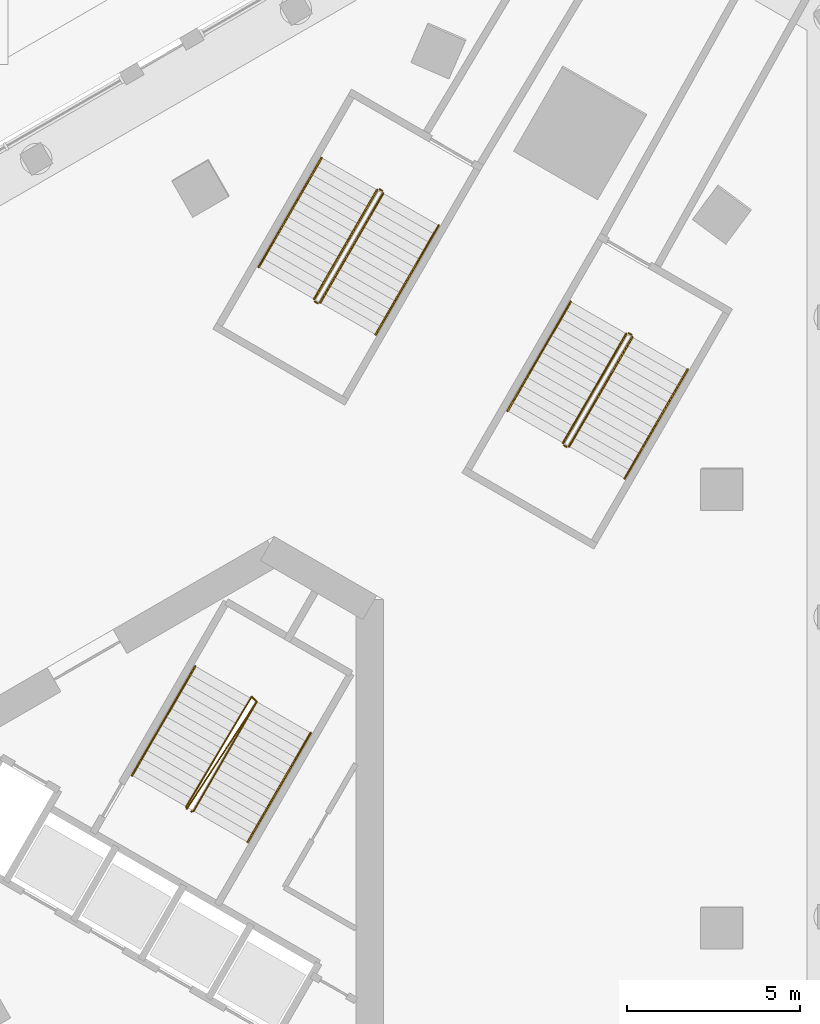
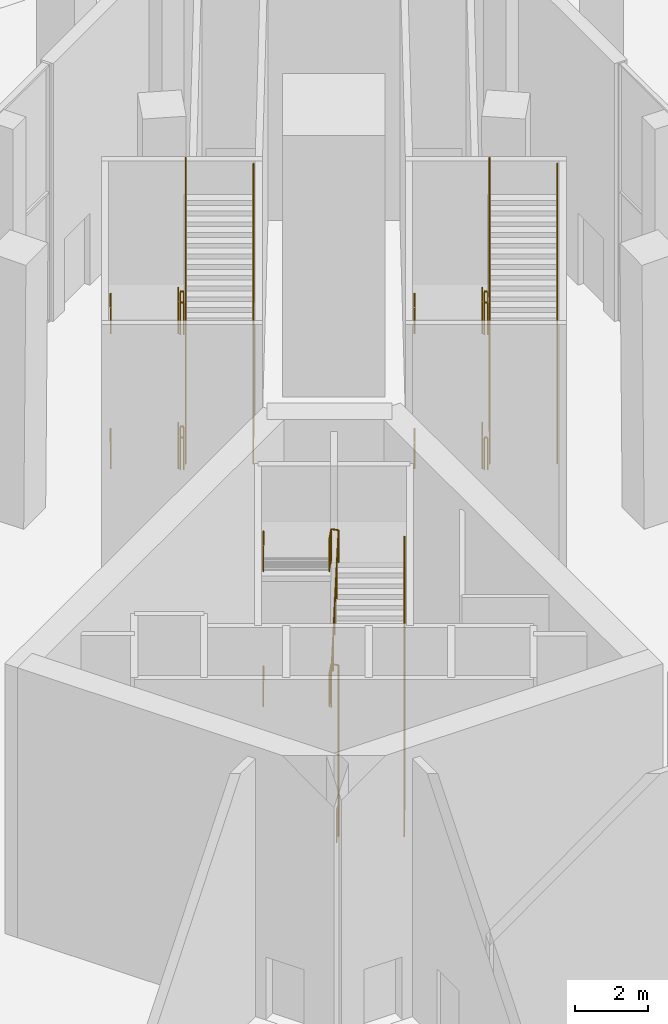
# One storey, part 50 of 63: 28 railings.
"""IFC4 building model written with IfcOpenShell, lengths in metres."""

from ifc_helpers import new_model, si_unit, direction, frame, origin, origin_2d, place, context, subcontext, project, spatial, circle, extrude, material, type_object, element, save


model = new_model("IFC4")

# Units and contexts
model_context = context("Model", 3, precision=1e-05, world=origin(), true_north=direction((0.0, 1.0)))
body_context = subcontext(model_context, "Body", "Model", "MODEL_VIEW")
ifc_project = project(units=[si_unit("LENGTHUNIT", "METRE"), si_unit("AREAUNIT", "SQUARE_METRE"), si_unit("VOLUMEUNIT", "CUBIC_METRE"), si_unit("PLANEANGLEUNIT", "RADIAN"), si_unit("MASSUNIT", "GRAM", prefix="KILO")], contexts=[model_context])

# Site, building, storey
site_placement = place(None, origin())
site = spatial("IfcSite", under=ifc_project, at=site_placement, CompositionType="ELEMENT")
building_placement = place(site_placement, origin())
building = spatial("IfcBuilding", under=site, at=building_placement, Name="Jabali Bay Hotel Tower and Convention Centre", CompositionType="ELEMENT")
storey_placement = place(building_placement, origin())
storey = spatial("IfcBuildingStorey", under=building, at=storey_placement, Name="L00", CompositionType="ELEMENT", Elevation=0.0)

# Railings
ifc_material = material(Name="Steel Q355B", Category="steel")
railing_type_1 = type_object("IfcRailingType", Name="Stair guard 1100", PredefinedType="GUARDRAIL", material=ifc_material)
railing_1_placement = place(storey_placement, frame((84.329833984375, 96.010009765625, 0.0)))
element("IfcRailing", 1, at=railing_1_placement, inside=storey, type_object=railing_type_1, Name="L00 ST2 stair guard 1", PredefinedType="GUARDRAIL", context=body_context, shape_type="SweptSolid", body=[
    extrude(circle(Radius=0.02392578125, at=origin_2d()), frame((0.0, 0.0, 1.076171875), z_axis=(0.389419217707, 0.104308719029, 0.91513516161), x_axis=(-0.258736085224, 0.965948051503, 0.0)), (0.0, 0.0, 1.0), 0.175537109375),
    extrude(circle(Radius=0.02392578125, at=origin_2d()), frame((0.068359375, 0.018310546875, 1.23681640625), z_axis=(0.433652999409, 0.751083504812, 0.49781386572), x_axis=(-0.866018046521, 0.500012742938, 0.0)), (0.0, 0.0, 1.0), 4.197021484375),
    extrude(circle(Radius=0.02392578125, at=origin_2d()), frame((1.888427734375, 3.170654296875, 3.326171875), z_axis=(-0.718850276695, 0.695164929852, 0.0), x_axis=(-0.695164929852, -0.718850276695, 0.0)), (0.0, 0.0, 1.0), 0.2060546875),
    extrude(circle(Radius=0.02392578125, at=origin_2d()), frame((1.740234375, 3.31396484375, 3.326171875), z_axis=(-0.436910096107, -0.733568379849, 0.520564117093), x_axis=(0.859157857954, -0.511710636118, 0.0)), (0.0, 0.0, 1.0), 4.322265625),
    extrude(circle(Radius=0.02392578125, at=origin_2d()), frame((-0.148193359375, 0.143310546875, 5.576171875), z_axis=(0.258736085224, -0.965948051503, 0.0), x_axis=(0.965948051503, 0.258736085224, 0.0)), (0.0, 0.0, 1.0), 0.07080078125),
    extrude(circle(Radius=0.02392578125, at=origin_2d()), frame((-0.1298828125, 0.074951171875, 5.576171875), z_axis=(0.466488976959, 0.715505047519, 0.520038999837), x_axis=(-0.837688130049, 0.546148877848, 0.0)), (0.0, 0.0, 1.0), 4.32666015625),
    extrude(circle(Radius=0.02392578125, at=origin_2d()), frame((1.888427734375, 3.170654296875, 7.826171875), z_axis=(-0.718850276695, 0.695164929852, 0.0), x_axis=(-0.695164929852, -0.718850276695, 0.0)), (0.0, 0.0, 1.0), 0.2060546875),
    extrude(circle(Radius=0.02392578125, at=origin_2d()), frame((1.740234375, 3.31396484375, 7.826171875), z_axis=(-0.436910096107, -0.733568379849, 0.520564117093), x_axis=(0.859157857954, -0.511710636118, 0.0)), (0.0, 0.0, 1.0), 4.322265625),
    extrude(circle(Radius=0.02099609375, at=origin_2d()), origin(), (0.0, 0.0, 1.0), 1.052001953125),
    extrude(circle(Radius=0.02099609375, at=origin_2d()), frame((0.068359375, 0.018310546875, 0.16064453125)), (0.0, 0.0, 1.0), 1.052001953125),
    extrude(circle(Radius=0.02099609375, at=origin_2d()), frame((0.5234375, 0.806396484375, 0.68310546875)), (0.0, 0.0, 1.0), 1.052001953125),
    extrude(circle(Radius=0.02099609375, at=origin_2d()), frame((0.978515625, 1.594482421875, 1.205322265625)), (0.0, 0.0, 1.0), 1.052001953125),
    extrude(circle(Radius=0.02099609375, at=origin_2d()), frame((1.433349609375, 2.382568359375, 1.7275390625)), (0.0, 0.0, 1.0), 1.052001953125),
    extrude(circle(Radius=0.02099609375, at=origin_2d()), frame((1.888427734375, 3.170654296875, 2.25)), (0.0, 0.0, 1.0), 1.052001953125),
    extrude(circle(Radius=0.02099609375, at=origin_2d()), frame((1.740234375, 3.31396484375, 2.25)), (0.0, 0.0, 1.0), 1.052001953125),
    extrude(circle(Radius=0.02099609375, at=origin_2d()), frame((1.26806640625, 2.521240234375, 2.8125)), (0.0, 0.0, 1.0), 1.052001953125),
    extrude(circle(Radius=0.02099609375, at=origin_2d()), frame((0.7958984375, 1.728515625, 3.375)), (0.0, 0.0, 1.0), 1.052001953125),
    extrude(circle(Radius=0.02099609375, at=origin_2d()), frame((0.323974609375, 0.93603515625, 3.9375)), (0.0, 0.0, 1.0), 1.052001953125),
    extrude(circle(Radius=0.02099609375, at=origin_2d()), frame((-0.148193359375, 0.143310546875, 4.5)), (0.0, 0.0, 1.0), 1.052001953125),
    extrude(circle(Radius=0.02099609375, at=origin_2d()), frame((-0.1298828125, 0.074951171875, 4.5)), (0.0, 0.0, 1.0), 1.052001953125),
    extrude(circle(Radius=0.02099609375, at=origin_2d()), frame((0.374755859375, 0.848876953125, 5.0625)), (0.0, 0.0, 1.0), 1.052001953125),
    extrude(circle(Radius=0.02099609375, at=origin_2d()), frame((0.87939453125, 1.622802734375, 5.625)), (0.0, 0.0, 1.0), 1.052001953125),
    extrude(circle(Radius=0.02099609375, at=origin_2d()), frame((1.3837890625, 2.396728515625, 6.1875)), (0.0, 0.0, 1.0), 1.052001953125),
    extrude(circle(Radius=0.02099609375, at=origin_2d()), frame((1.888427734375, 3.170654296875, 6.75)), (0.0, 0.0, 1.0), 1.052001953125),
    extrude(circle(Radius=0.02099609375, at=origin_2d()), frame((1.740234375, 3.31396484375, 6.75)), (0.0, 0.0, 1.0), 1.052001953125),
    extrude(circle(Radius=0.02099609375, at=origin_2d()), frame((1.26806640625, 2.521240234375, 7.3125)), (0.0, 0.0, 1.0), 1.052001953125),
    extrude(circle(Radius=0.02099609375, at=origin_2d()), frame((0.7958984375, 1.728515625, 7.875)), (0.0, 0.0, 1.0), 1.052001953125),
    extrude(circle(Radius=0.02099609375, at=origin_2d()), frame((0.323974609375, 0.93603515625, 8.4375)), (0.0, 0.0, 1.0), 1.052001953125),
    extrude(circle(Radius=0.02099609375, at=origin_2d()), frame((-0.148193359375, 0.143310546875, 9.0)), (0.0, 0.0, 1.0), 1.052001953125),
])
railing_2_placement = place(storey_placement, frame((89.6943359375, 113.951416015625, 0.16064453125)))
element("IfcRailing", 2, at=railing_2_placement, inside=storey, type_object=railing_type_1, Name="L00 PS3 stair guard 1", PredefinedType="GUARDRAIL", context=body_context, shape_type="SweptSolid", body=[
    extrude(circle(Radius=0.02392578125, at=origin_2d()), frame((0.0, 0.0, 1.076171875), z_axis=(-0.433605767251, -0.751102450596, 0.497826422878), x_axis=(0.866047089031, -0.499962438169, 0.0)), (0.0, 0.0, 1.0), 4.197021484375),
    extrude(circle(Radius=0.02099609375, at=origin_2d()), origin(), (0.0, 0.0, 1.0), 1.052001953125),
    extrude(circle(Radius=0.02099609375, at=origin_2d()), frame((-0.455078125, -0.7880859375, 0.5224609375)), (0.0, 0.0, 1.0), 1.052001953125),
    extrude(circle(Radius=0.02099609375, at=origin_2d()), frame((-0.909912109375, -1.576171875, 1.044677734375)), (0.0, 0.0, 1.0), 1.052001953125),
    extrude(circle(Radius=0.02099609375, at=origin_2d()), frame((-1.36474609375, -2.3642578125, 1.56689453125)), (0.0, 0.0, 1.0), 1.052001953125),
    extrude(circle(Radius=0.02099609375, at=origin_2d()), frame((-1.81982421875, -3.15234375, 2.08935546875)), (0.0, 0.0, 1.0), 1.052001953125),
])
railing_3_placement = place(storey_placement, frame((87.892578125, 110.730712890625, 2.25)))
element("IfcRailing", 3, at=railing_3_placement, inside=storey, type_object=railing_type_1, Name="L00 PS3 stair guard 2", PredefinedType="GUARDRAIL", context=body_context, shape_type="SweptSolid", body=[
    extrude(circle(Radius=0.02392578125, at=origin_2d()), frame((0.0, 0.0, 1.076171875), z_axis=(0.867038199201, -0.4982416694, 0.0), x_axis=(0.4982416694, 0.867038199201, 0.0)), (0.0, 0.0, 1.0), 0.099853515625),
    extrude(circle(Radius=0.02099609375, at=origin_2d()), origin(), (0.0, 0.0, 1.0), 1.052001953125),
    extrude(circle(Radius=0.02099609375, at=origin_2d()), frame((0.086669921875, -0.0498046875, 0.0)), (0.0, 0.0, 1.0), 1.052001953125),
])
railing_4_placement = place(storey_placement, frame((88.047607421875, 110.69921875, 2.41064453125)))
element("IfcRailing", 4, at=railing_4_placement, inside=storey, type_object=railing_type_1, Name="L00 PS3 stair guard 3", PredefinedType="GUARDRAIL", context=body_context, shape_type="SweptSolid", body=[
    extrude(circle(Radius=0.02392578125, at=origin_2d()), frame((0.0, 0.0, 1.076171875), z_axis=(0.433671946255, 0.751058148639, 0.497835615835), x_axis=(-0.866001276507, 0.500041787341, 0.0)), (0.0, 0.0, 1.0), 4.19677734375),
    extrude(circle(Radius=0.02099609375, at=origin_2d()), origin(), (0.0, 0.0, 1.0), 1.052001953125),
    extrude(circle(Radius=0.02099609375, at=origin_2d()), frame((0.455078125, 0.7880859375, 0.5224609375)), (0.0, 0.0, 1.0), 1.052001953125),
    extrude(circle(Radius=0.02099609375, at=origin_2d()), frame((0.91015625, 1.576171875, 1.044677734375)), (0.0, 0.0, 1.0), 1.052001953125),
    extrude(circle(Radius=0.02099609375, at=origin_2d()), frame((1.364990234375, 2.364013671875, 1.56689453125)), (0.0, 0.0, 1.0), 1.052001953125),
    extrude(circle(Radius=0.02099609375, at=origin_2d()), frame((1.820068359375, 3.152099609375, 2.08935546875)), (0.0, 0.0, 1.0), 1.052001953125),
])
railing_5_placement = place(storey_placement, frame((89.7626953125, 113.9697265625, 4.5)))
element("IfcRailing", 5, at=railing_5_placement, inside=storey, type_object=railing_type_1, Name="L00 PS3 stair guard 4", PredefinedType="GUARDRAIL", context=body_context, shape_type="SweptSolid", body=[
    extrude(circle(Radius=0.02392578125, at=origin_2d()), frame((0.0, 0.0, 1.076171875), z_axis=(0.865982457891, -0.500074377092, 0.0), x_axis=(0.500074377092, 0.865982457891, 0.0)), (0.0, 0.0, 1.0), 0.10009765625),
    extrude(circle(Radius=0.02099609375, at=origin_2d()), origin(), (0.0, 0.0, 1.0), 1.052001953125),
    extrude(circle(Radius=0.02099609375, at=origin_2d()), frame((0.086669921875, -0.050048828125, 0.0)), (0.0, 0.0, 1.0), 1.052001953125),
])
railing_6_placement = place(storey_placement, frame((89.6943359375, 113.951416015625, 4.66064453125)))
element("IfcRailing", 6, at=railing_6_placement, inside=storey, type_object=railing_type_1, Name="L00 PS3 stair guard 5", PredefinedType="GUARDRAIL", context=body_context, shape_type="SweptSolid", body=[
    extrude(circle(Radius=0.02392578125, at=origin_2d()), frame((0.0, 0.0, 1.076171875), z_axis=(-0.433605767251, -0.751102450596, 0.497826422878), x_axis=(0.866047089031, -0.499962438169, 0.0)), (0.0, 0.0, 1.0), 4.197021484375),
    extrude(circle(Radius=0.02099609375, at=origin_2d()), origin(), (0.0, 0.0, 1.0), 1.052001953125),
    extrude(circle(Radius=0.02099609375, at=origin_2d()), frame((-0.455078125, -0.7880859375, 0.5224609375)), (0.0, 0.0, 1.0), 1.052001953125),
    extrude(circle(Radius=0.02099609375, at=origin_2d()), frame((-0.909912109375, -1.576171875, 1.044677734375)), (0.0, 0.0, 1.0), 1.052001953125),
    extrude(circle(Radius=0.02099609375, at=origin_2d()), frame((-1.36474609375, -2.3642578125, 1.56689453125)), (0.0, 0.0, 1.0), 1.052001953125),
    extrude(circle(Radius=0.02099609375, at=origin_2d()), frame((-1.81982421875, -3.15234375, 2.08935546875)), (0.0, 0.0, 1.0), 1.052001953125),
])
railing_7_placement = place(storey_placement, frame((87.892578125, 110.730712890625, 6.75)))
element("IfcRailing", 7, at=railing_7_placement, inside=storey, type_object=railing_type_1, Name="L00 PS3 stair guard 6", PredefinedType="GUARDRAIL", context=body_context, shape_type="SweptSolid", body=[
    extrude(circle(Radius=0.02392578125, at=origin_2d()), frame((0.0, 0.0, 1.076171875), z_axis=(0.867038199201, -0.4982416694, 0.0), x_axis=(0.4982416694, 0.867038199201, 0.0)), (0.0, 0.0, 1.0), 0.099853515625),
    extrude(circle(Radius=0.02099609375, at=origin_2d()), origin(), (0.0, 0.0, 1.0), 1.052001953125),
    extrude(circle(Radius=0.02099609375, at=origin_2d()), frame((0.086669921875, -0.0498046875, 0.0)), (0.0, 0.0, 1.0), 1.052001953125),
])
railing_8_placement = place(storey_placement, frame((88.047607421875, 110.69921875, 6.91064453125)))
element("IfcRailing", 8, at=railing_8_placement, inside=storey, type_object=railing_type_1, Name="L00 PS3 stair guard 7", PredefinedType="GUARDRAIL", context=body_context, shape_type="SweptSolid", body=[
    extrude(circle(Radius=0.02392578125, at=origin_2d()), frame((0.0, 0.0, 1.076171875), z_axis=(0.433671946255, 0.751058148639, 0.497835615835), x_axis=(-0.866001276507, 0.500041787341, 0.0)), (0.0, 0.0, 1.0), 4.19677734375),
    extrude(circle(Radius=0.02099609375, at=origin_2d()), origin(), (0.0, 0.0, 1.0), 1.052001953125),
    extrude(circle(Radius=0.02099609375, at=origin_2d()), frame((0.455078125, 0.7880859375, 0.5224609375)), (0.0, 0.0, 1.0), 1.052001953125),
    extrude(circle(Radius=0.02099609375, at=origin_2d()), frame((0.91015625, 1.576171875, 1.044677734375)), (0.0, 0.0, 1.0), 1.052001953125),
    extrude(circle(Radius=0.02099609375, at=origin_2d()), frame((1.364990234375, 2.364013671875, 1.56689453125)), (0.0, 0.0, 1.0), 1.052001953125),
    extrude(circle(Radius=0.02099609375, at=origin_2d()), frame((1.820068359375, 3.152099609375, 2.08935546875)), (0.0, 0.0, 1.0), 1.052001953125),
])
railing_9_placement = place(storey_placement, frame((89.7626953125, 113.9697265625, 0.0)))
element("IfcRailing", 9, at=railing_9_placement, inside=storey, type_object=railing_type_1, Name="L00 PS3 stair guard 8", PredefinedType="GUARDRAIL", context=body_context, shape_type="SweptSolid", body=[
    extrude(circle(Radius=0.02392578125, at=origin_2d()), frame((0.0, 0.0, 1.076171875), z_axis=(0.865982457891, -0.500074377092, 0.0), x_axis=(0.500074377092, 0.865982457891, 0.0)), (0.0, 0.0, 1.0), 0.10009765625),
    extrude(circle(Radius=0.02099609375, at=origin_2d()), origin(), (0.0, 0.0, 1.0), 1.052001953125),
    extrude(circle(Radius=0.02099609375, at=origin_2d()), frame((0.086669921875, -0.050048828125, 0.0)), (0.0, 0.0, 1.0), 1.052001953125),
])
railing_10_placement = place(storey_placement, frame((96.88232421875, 109.801513671875, 0.16064453125)))
element("IfcRailing", 10, at=railing_10_placement, inside=storey, type_object=railing_type_1, Name="L00 PS4 stair guard 1", PredefinedType="GUARDRAIL", context=body_context, shape_type="SweptSolid", body=[
    extrude(circle(Radius=0.02392578125, at=origin_2d()), frame((0.0, 0.0, 1.076171875), z_axis=(-0.433605767251, -0.751102450596, 0.497826422878), x_axis=(0.866047089031, -0.499962438169, 0.0)), (0.0, 0.0, 1.0), 4.197021484375),
    extrude(circle(Radius=0.02099609375, at=origin_2d()), origin(), (0.0, 0.0, 1.0), 1.052001953125),
    extrude(circle(Radius=0.02099609375, at=origin_2d()), frame((-0.455078125, -0.7880859375, 0.5224609375)), (0.0, 0.0, 1.0), 1.052001953125),
    extrude(circle(Radius=0.02099609375, at=origin_2d()), frame((-0.909912109375, -1.576171875, 1.044677734375)), (0.0, 0.0, 1.0), 1.052001953125),
    extrude(circle(Radius=0.02099609375, at=origin_2d()), frame((-1.36474609375, -2.3642578125, 1.56689453125)), (0.0, 0.0, 1.0), 1.052001953125),
    extrude(circle(Radius=0.02099609375, at=origin_2d()), frame((-1.81982421875, -3.15234375, 2.08935546875)), (0.0, 0.0, 1.0), 1.052001953125),
])
railing_11_placement = place(storey_placement, frame((95.080810546875, 106.580810546875, 2.25)))
element("IfcRailing", 11, at=railing_11_placement, inside=storey, type_object=railing_type_1, Name="L00 PS4 stair guard 2", PredefinedType="GUARDRAIL", context=body_context, shape_type="SweptSolid", body=[
    extrude(circle(Radius=0.02392578125, at=origin_2d()), frame((0.0, 0.0, 1.076171875), z_axis=(0.865370491644, -0.501132629342, 0.0), x_axis=(0.501132629342, 0.865370491644, 0.0)), (0.0, 0.0, 1.0), 0.099853515625),
    extrude(circle(Radius=0.02099609375, at=origin_2d()), origin(), (0.0, 0.0, 1.0), 1.052001953125),
    extrude(circle(Radius=0.02099609375, at=origin_2d()), frame((0.08642578125, -0.050048828125, 0.0)), (0.0, 0.0, 1.0), 1.052001953125),
])
railing_12_placement = place(storey_placement, frame((95.235595703125, 106.549072265625, 2.41064453125)))
element("IfcRailing", 12, at=railing_12_placement, inside=storey, type_object=railing_type_1, Name="L00 PS4 stair guard 3", PredefinedType="GUARDRAIL", context=body_context, shape_type="SweptSolid", body=[
    extrude(circle(Radius=0.02392578125, at=origin_2d()), frame((0.0, 0.0, 1.076171875), z_axis=(0.433652999409, 0.751083504812, 0.49781386572), x_axis=(-0.866018046521, 0.500012742938, 0.0)), (0.0, 0.0, 1.0), 4.197021484375),
    extrude(circle(Radius=0.02099609375, at=origin_2d()), origin(), (0.0, 0.0, 1.0), 1.052001953125),
    extrude(circle(Radius=0.02099609375, at=origin_2d()), frame((0.455078125, 0.7880859375, 0.5224609375)), (0.0, 0.0, 1.0), 1.052001953125),
    extrude(circle(Radius=0.02099609375, at=origin_2d()), frame((0.91015625, 1.576171875, 1.044677734375)), (0.0, 0.0, 1.0), 1.052001953125),
    extrude(circle(Radius=0.02099609375, at=origin_2d()), frame((1.364990234375, 2.3642578125, 1.56689453125)), (0.0, 0.0, 1.0), 1.052001953125),
    extrude(circle(Radius=0.02099609375, at=origin_2d()), frame((1.820068359375, 3.15234375, 2.08935546875)), (0.0, 0.0, 1.0), 1.052001953125),
])
railing_13_placement = place(storey_placement, frame((96.95068359375, 109.81982421875, 4.5)))
element("IfcRailing", 13, at=railing_13_placement, inside=storey, type_object=railing_type_1, Name="L00 PS4 stair guard 4", PredefinedType="GUARDRAIL", context=body_context, shape_type="SweptSolid", body=[
    extrude(circle(Radius=0.02392578125, at=origin_2d()), frame((0.0, 0.0, 1.076171875), z_axis=(0.865982457891, -0.500074377092, 0.0), x_axis=(0.500074377092, 0.865982457891, 0.0)), (0.0, 0.0, 1.0), 0.10009765625),
    extrude(circle(Radius=0.02099609375, at=origin_2d()), origin(), (0.0, 0.0, 1.0), 1.052001953125),
    extrude(circle(Radius=0.02099609375, at=origin_2d()), frame((0.086669921875, -0.050048828125, 0.0)), (0.0, 0.0, 1.0), 1.052001953125),
])
railing_14_placement = place(storey_placement, frame((96.88232421875, 109.801513671875, 4.66064453125)))
element("IfcRailing", 14, at=railing_14_placement, inside=storey, type_object=railing_type_1, Name="L00 PS4 stair guard 5", PredefinedType="GUARDRAIL", context=body_context, shape_type="SweptSolid", body=[
    extrude(circle(Radius=0.02392578125, at=origin_2d()), frame((0.0, 0.0, 1.076171875), z_axis=(-0.433605767251, -0.751102450596, 0.497826422878), x_axis=(0.866047089031, -0.499962438169, 0.0)), (0.0, 0.0, 1.0), 4.197021484375),
    extrude(circle(Radius=0.02099609375, at=origin_2d()), origin(), (0.0, 0.0, 1.0), 1.052001953125),
    extrude(circle(Radius=0.02099609375, at=origin_2d()), frame((-0.455078125, -0.7880859375, 0.5224609375)), (0.0, 0.0, 1.0), 1.052001953125),
    extrude(circle(Radius=0.02099609375, at=origin_2d()), frame((-0.909912109375, -1.576171875, 1.044677734375)), (0.0, 0.0, 1.0), 1.052001953125),
    extrude(circle(Radius=0.02099609375, at=origin_2d()), frame((-1.36474609375, -2.3642578125, 1.56689453125)), (0.0, 0.0, 1.0), 1.052001953125),
    extrude(circle(Radius=0.02099609375, at=origin_2d()), frame((-1.81982421875, -3.15234375, 2.08935546875)), (0.0, 0.0, 1.0), 1.052001953125),
])
railing_15_placement = place(storey_placement, frame((95.080810546875, 106.580810546875, 6.75)))
element("IfcRailing", 15, at=railing_15_placement, inside=storey, type_object=railing_type_1, Name="L00 PS4 stair guard 6", PredefinedType="GUARDRAIL", context=body_context, shape_type="SweptSolid", body=[
    extrude(circle(Radius=0.02392578125, at=origin_2d()), frame((0.0, 0.0, 1.076171875), z_axis=(0.865370491644, -0.501132629342, 0.0), x_axis=(0.501132629342, 0.865370491644, 0.0)), (0.0, 0.0, 1.0), 0.099853515625),
    extrude(circle(Radius=0.02099609375, at=origin_2d()), origin(), (0.0, 0.0, 1.0), 1.052001953125),
    extrude(circle(Radius=0.02099609375, at=origin_2d()), frame((0.08642578125, -0.050048828125, 0.0)), (0.0, 0.0, 1.0), 1.052001953125),
])
railing_16_placement = place(storey_placement, frame((95.235595703125, 106.549072265625, 6.91064453125)))
element("IfcRailing", 16, at=railing_16_placement, inside=storey, type_object=railing_type_1, Name="L00 PS4 stair guard 7", PredefinedType="GUARDRAIL", context=body_context, shape_type="SweptSolid", body=[
    extrude(circle(Radius=0.02392578125, at=origin_2d()), frame((0.0, 0.0, 1.076171875), z_axis=(0.433652999409, 0.751083504812, 0.49781386572), x_axis=(-0.866018046521, 0.500012742938, 0.0)), (0.0, 0.0, 1.0), 4.197021484375),
    extrude(circle(Radius=0.02099609375, at=origin_2d()), origin(), (0.0, 0.0, 1.0), 1.052001953125),
    extrude(circle(Radius=0.02099609375, at=origin_2d()), frame((0.455078125, 0.7880859375, 0.5224609375)), (0.0, 0.0, 1.0), 1.052001953125),
    extrude(circle(Radius=0.02099609375, at=origin_2d()), frame((0.91015625, 1.576171875, 1.044677734375)), (0.0, 0.0, 1.0), 1.052001953125),
    extrude(circle(Radius=0.02099609375, at=origin_2d()), frame((1.364990234375, 2.3642578125, 1.56689453125)), (0.0, 0.0, 1.0), 1.052001953125),
    extrude(circle(Radius=0.02099609375, at=origin_2d()), frame((1.820068359375, 3.15234375, 2.08935546875)), (0.0, 0.0, 1.0), 1.052001953125),
])
railing_type_2 = type_object("IfcRailingType", Name="Stair handrail 900", PredefinedType="HANDRAIL", material=ifc_material)
railing_17_placement = place(storey_placement, frame((85.95703125, 95.128173828125, 0.16064453125)))
element("IfcRailing", 17, at=railing_17_placement, inside=storey, type_object=railing_type_2, Name="L00 ST2 stair handrail 1", PredefinedType="HANDRAIL", context=body_context, shape_type="SweptSolid", body=[
    extrude(circle(Radius=0.02392578125, at=origin_2d()), frame((0.0, 0.0, 0.8759765625), z_axis=(0.433652999409, 0.751083504812, 0.49781386572), x_axis=(-0.866018046521, 0.500012742938, 0.0)), (0.0, 0.0, 1.0), 4.197021484375),
    extrude(circle(Radius=0.02099609375, at=origin_2d()), origin(), (0.0, 0.0, 1.0), 0.851806640625),
    extrude(circle(Radius=0.02099609375, at=origin_2d()), frame((0.455078125, 0.7880859375, 0.5224609375)), (0.0, 0.0, 1.0), 0.851806640625),
    extrude(circle(Radius=0.02099609375, at=origin_2d()), frame((0.91015625, 1.576171875, 1.044677734375)), (0.0, 0.0, 1.0), 0.851806640625),
    extrude(circle(Radius=0.02099609375, at=origin_2d()), frame((1.364990234375, 2.3642578125, 1.56689453125)), (0.0, 0.0, 1.0), 0.851806640625),
    extrude(circle(Radius=0.02099609375, at=origin_2d()), frame((1.820068359375, 3.15234375, 2.08935546875)), (0.0, 0.0, 1.0), 0.851806640625),
])
railing_18_placement = place(storey_placement, frame((84.44287109375, 100.20556640625, 2.41064453125)))
element("IfcRailing", 18, at=railing_18_placement, inside=storey, type_object=railing_type_2, Name="L00 ST2 stair handrail 2", PredefinedType="HANDRAIL", context=body_context, shape_type="SweptSolid", body=[
    extrude(circle(Radius=0.02392578125, at=origin_2d()), frame((0.0, 0.0, 0.8759765625), z_axis=(-0.433652999409, -0.751083504812, 0.49781386572), x_axis=(0.866018046521, -0.500012742938, 0.0)), (0.0, 0.0, 1.0), 4.197021484375),
    extrude(circle(Radius=0.02099609375, at=origin_2d()), origin(), (0.0, 0.0, 1.0), 0.851806640625),
    extrude(circle(Radius=0.02099609375, at=origin_2d()), frame((-0.455078125, -0.7880859375, 0.5224609375)), (0.0, 0.0, 1.0), 0.851806640625),
    extrude(circle(Radius=0.02099609375, at=origin_2d()), frame((-0.91015625, -1.576171875, 1.044677734375)), (0.0, 0.0, 1.0), 0.851806640625),
    extrude(circle(Radius=0.02099609375, at=origin_2d()), frame((-1.364990234375, -2.3642578125, 1.56689453125)), (0.0, 0.0, 1.0), 0.851806640625),
    extrude(circle(Radius=0.02099609375, at=origin_2d()), frame((-1.820068359375, -3.15234375, 2.08935546875)), (0.0, 0.0, 1.0), 0.851806640625),
])
railing_19_placement = place(storey_placement, frame((85.95703125, 95.128173828125, 4.66064453125)))
element("IfcRailing", 19, at=railing_19_placement, inside=storey, type_object=railing_type_2, Name="L00 ST2 stair handrail 3", PredefinedType="HANDRAIL", context=body_context, shape_type="SweptSolid", body=[
    extrude(circle(Radius=0.02392578125, at=origin_2d()), frame((0.0, 0.0, 0.8759765625), z_axis=(0.433652999409, 0.751083504812, 0.49781386572), x_axis=(-0.866018046521, 0.500012742938, 0.0)), (0.0, 0.0, 1.0), 4.197021484375),
    extrude(circle(Radius=0.02099609375, at=origin_2d()), origin(), (0.0, 0.0, 1.0), 0.851806640625),
    extrude(circle(Radius=0.02099609375, at=origin_2d()), frame((0.455078125, 0.7880859375, 0.5224609375)), (0.0, 0.0, 1.0), 0.851806640625),
    extrude(circle(Radius=0.02099609375, at=origin_2d()), frame((0.91015625, 1.576171875, 1.044677734375)), (0.0, 0.0, 1.0), 0.851806640625),
    extrude(circle(Radius=0.02099609375, at=origin_2d()), frame((1.364990234375, 2.3642578125, 1.56689453125)), (0.0, 0.0, 1.0), 0.851806640625),
    extrude(circle(Radius=0.02099609375, at=origin_2d()), frame((1.820068359375, 3.15234375, 2.08935546875)), (0.0, 0.0, 1.0), 0.851806640625),
])
for number, where, name in (
    (20, (84.44287109375, 100.20556640625, 6.91064453125), "L00 ST2 stair handrail 4"),
    (21, (88.09228515625, 114.87646484375, 0.16064453125), "L00 PS3 stair handrail 1"),
):
    element("IfcRailing", number, at=place(storey_placement, frame(where)), inside=storey, type_object=railing_type_2, Name=name, PredefinedType="HANDRAIL", context=body_context, shape_type="SweptSolid", body=[
        extrude(circle(Radius=0.02392578125, at=origin_2d()), frame((0.0, 0.0, 0.8759765625), z_axis=(-0.433652999409, -0.751083504812, 0.49781386572), x_axis=(0.866018046521, -0.500012742938, 0.0)), (0.0, 0.0, 1.0), 4.197021484375),
        extrude(circle(Radius=0.02099609375, at=origin_2d()), origin(), (0.0, 0.0, 1.0), 0.851806640625),
        extrude(circle(Radius=0.02099609375, at=origin_2d()), frame((-0.455078125, -0.7880859375, 0.5224609375)), (0.0, 0.0, 1.0), 0.851806640625),
        extrude(circle(Radius=0.02099609375, at=origin_2d()), frame((-0.91015625, -1.576171875, 1.044677734375)), (0.0, 0.0, 1.0), 0.851806640625),
        extrude(circle(Radius=0.02099609375, at=origin_2d()), frame((-1.364990234375, -2.3642578125, 1.56689453125)), (0.0, 0.0, 1.0), 0.851806640625),
        extrude(circle(Radius=0.02099609375, at=origin_2d()), frame((-1.820068359375, -3.15234375, 2.08935546875)), (0.0, 0.0, 1.0), 0.851806640625),
    ])
railing_20_placement = place(storey_placement, frame((89.649658203125, 109.774169921875, 2.41064453125)))
element("IfcRailing", 22, at=railing_20_placement, inside=storey, type_object=railing_type_2, Name="L00 PS3 stair handrail 2", PredefinedType="HANDRAIL", context=body_context, shape_type="SweptSolid", body=[
    extrude(circle(Radius=0.02392578125, at=origin_2d()), frame((0.0, 0.0, 0.8759765625), z_axis=(0.433652999409, 0.751083504812, 0.49781386572), x_axis=(-0.866018046521, 0.500012742938, 0.0)), (0.0, 0.0, 1.0), 4.197021484375),
    extrude(circle(Radius=0.02099609375, at=origin_2d()), origin(), (0.0, 0.0, 1.0), 0.851806640625),
    extrude(circle(Radius=0.02099609375, at=origin_2d()), frame((0.455078125, 0.7880859375, 0.5224609375)), (0.0, 0.0, 1.0), 0.851806640625),
    extrude(circle(Radius=0.02099609375, at=origin_2d()), frame((0.91015625, 1.576171875, 1.044677734375)), (0.0, 0.0, 1.0), 0.851806640625),
    extrude(circle(Radius=0.02099609375, at=origin_2d()), frame((1.364990234375, 2.3642578125, 1.56689453125)), (0.0, 0.0, 1.0), 0.851806640625),
    extrude(circle(Radius=0.02099609375, at=origin_2d()), frame((1.820068359375, 3.15234375, 2.08935546875)), (0.0, 0.0, 1.0), 0.851806640625),
])
railing_21_placement = place(storey_placement, frame((88.09228515625, 114.87646484375, 4.66064453125)))
element("IfcRailing", 23, at=railing_21_placement, inside=storey, type_object=railing_type_2, Name="L00 PS3 stair handrail 3", PredefinedType="HANDRAIL", context=body_context, shape_type="SweptSolid", body=[
    extrude(circle(Radius=0.02392578125, at=origin_2d()), frame((0.0, 0.0, 0.8759765625), z_axis=(-0.433652999409, -0.751083504812, 0.49781386572), x_axis=(0.866018046521, -0.500012742938, 0.0)), (0.0, 0.0, 1.0), 4.197021484375),
    extrude(circle(Radius=0.02099609375, at=origin_2d()), origin(), (0.0, 0.0, 1.0), 0.851806640625),
    extrude(circle(Radius=0.02099609375, at=origin_2d()), frame((-0.455078125, -0.7880859375, 0.5224609375)), (0.0, 0.0, 1.0), 0.851806640625),
    extrude(circle(Radius=0.02099609375, at=origin_2d()), frame((-0.91015625, -1.576171875, 1.044677734375)), (0.0, 0.0, 1.0), 0.851806640625),
    extrude(circle(Radius=0.02099609375, at=origin_2d()), frame((-1.364990234375, -2.3642578125, 1.56689453125)), (0.0, 0.0, 1.0), 0.851806640625),
    extrude(circle(Radius=0.02099609375, at=origin_2d()), frame((-1.820068359375, -3.15234375, 2.08935546875)), (0.0, 0.0, 1.0), 0.851806640625),
])
railing_22_placement = place(storey_placement, frame((89.649658203125, 109.774169921875, 6.91064453125)))
element("IfcRailing", 24, at=railing_22_placement, inside=storey, type_object=railing_type_2, Name="L00 PS3 stair handrail 4", PredefinedType="HANDRAIL", context=body_context, shape_type="SweptSolid", body=[
    extrude(circle(Radius=0.02392578125, at=origin_2d()), frame((0.0, 0.0, 0.8759765625), z_axis=(0.433652999409, 0.751083504812, 0.49781386572), x_axis=(-0.866018046521, 0.500012742938, 0.0)), (0.0, 0.0, 1.0), 4.197021484375),
    extrude(circle(Radius=0.02099609375, at=origin_2d()), origin(), (0.0, 0.0, 1.0), 0.851806640625),
    extrude(circle(Radius=0.02099609375, at=origin_2d()), frame((0.455078125, 0.7880859375, 0.5224609375)), (0.0, 0.0, 1.0), 0.851806640625),
    extrude(circle(Radius=0.02099609375, at=origin_2d()), frame((0.91015625, 1.576171875, 1.044677734375)), (0.0, 0.0, 1.0), 0.851806640625),
    extrude(circle(Radius=0.02099609375, at=origin_2d()), frame((1.364990234375, 2.3642578125, 1.56689453125)), (0.0, 0.0, 1.0), 0.851806640625),
    extrude(circle(Radius=0.02099609375, at=origin_2d()), frame((1.820068359375, 3.15234375, 2.08935546875)), (0.0, 0.0, 1.0), 0.851806640625),
])
railing_23_placement = place(storey_placement, frame((95.2802734375, 110.726318359375, 0.16064453125)))
element("IfcRailing", 25, at=railing_23_placement, inside=storey, type_object=railing_type_2, Name="L00 PS4 stair handrail 1", PredefinedType="HANDRAIL", context=body_context, shape_type="SweptSolid", body=[
    extrude(circle(Radius=0.02392578125, at=origin_2d()), frame((0.0, 0.0, 0.8759765625), z_axis=(-0.433671946255, -0.751058148639, 0.497835615835), x_axis=(0.866001276507, -0.500041787341, 0.0)), (0.0, 0.0, 1.0), 4.19677734375),
    extrude(circle(Radius=0.02099609375, at=origin_2d()), origin(), (0.0, 0.0, 1.0), 0.851806640625),
    extrude(circle(Radius=0.02099609375, at=origin_2d()), frame((-0.455078125, -0.7880859375, 0.5224609375)), (0.0, 0.0, 1.0), 0.851806640625),
    extrude(circle(Radius=0.02099609375, at=origin_2d()), frame((-0.91015625, -1.576171875, 1.044677734375)), (0.0, 0.0, 1.0), 0.851806640625),
    extrude(circle(Radius=0.02099609375, at=origin_2d()), frame((-1.364990234375, -2.364013671875, 1.56689453125)), (0.0, 0.0, 1.0), 0.851806640625),
    extrude(circle(Radius=0.02099609375, at=origin_2d()), frame((-1.820068359375, -3.152099609375, 2.08935546875)), (0.0, 0.0, 1.0), 0.851806640625),
])
railing_24_placement = place(storey_placement, frame((96.837646484375, 105.6240234375, 2.41064453125)))
element("IfcRailing", 26, at=railing_24_placement, inside=storey, type_object=railing_type_2, Name="L00 PS4 stair handrail 2", PredefinedType="HANDRAIL", context=body_context, shape_type="SweptSolid", body=[
    extrude(circle(Radius=0.02392578125, at=origin_2d()), frame((0.0, 0.0, 0.8759765625), z_axis=(0.433652999409, 0.751083504812, 0.49781386572), x_axis=(-0.866018046521, 0.500012742938, 0.0)), (0.0, 0.0, 1.0), 4.197021484375),
    extrude(circle(Radius=0.02099609375, at=origin_2d()), origin(), (0.0, 0.0, 1.0), 0.851806640625),
    extrude(circle(Radius=0.02099609375, at=origin_2d()), frame((0.455078125, 0.7880859375, 0.5224609375)), (0.0, 0.0, 1.0), 0.851806640625),
    extrude(circle(Radius=0.02099609375, at=origin_2d()), frame((0.91015625, 1.576171875, 1.044677734375)), (0.0, 0.0, 1.0), 0.851806640625),
    extrude(circle(Radius=0.02099609375, at=origin_2d()), frame((1.364990234375, 2.3642578125, 1.56689453125)), (0.0, 0.0, 1.0), 0.851806640625),
    extrude(circle(Radius=0.02099609375, at=origin_2d()), frame((1.820068359375, 3.15234375, 2.08935546875)), (0.0, 0.0, 1.0), 0.851806640625),
])
railing_25_placement = place(storey_placement, frame((95.2802734375, 110.726318359375, 4.66064453125)))
element("IfcRailing", 27, at=railing_25_placement, inside=storey, type_object=railing_type_2, Name="L00 PS4 stair handrail 3", PredefinedType="HANDRAIL", context=body_context, shape_type="SweptSolid", body=[
    extrude(circle(Radius=0.02392578125, at=origin_2d()), frame((0.0, 0.0, 0.8759765625), z_axis=(-0.433671946255, -0.751058148639, 0.497835615835), x_axis=(0.866001276507, -0.500041787341, 0.0)), (0.0, 0.0, 1.0), 4.19677734375),
    extrude(circle(Radius=0.02099609375, at=origin_2d()), origin(), (0.0, 0.0, 1.0), 0.851806640625),
    extrude(circle(Radius=0.02099609375, at=origin_2d()), frame((-0.455078125, -0.7880859375, 0.5224609375)), (0.0, 0.0, 1.0), 0.851806640625),
    extrude(circle(Radius=0.02099609375, at=origin_2d()), frame((-0.91015625, -1.576171875, 1.044677734375)), (0.0, 0.0, 1.0), 0.851806640625),
    extrude(circle(Radius=0.02099609375, at=origin_2d()), frame((-1.364990234375, -2.364013671875, 1.56689453125)), (0.0, 0.0, 1.0), 0.851806640625),
    extrude(circle(Radius=0.02099609375, at=origin_2d()), frame((-1.820068359375, -3.152099609375, 2.08935546875)), (0.0, 0.0, 1.0), 0.851806640625),
])
railing_26_placement = place(storey_placement, frame((96.837646484375, 105.6240234375, 6.91064453125)))
element("IfcRailing", 28, at=railing_26_placement, inside=storey, type_object=railing_type_2, Name="L00 PS4 stair handrail 4", PredefinedType="HANDRAIL", context=body_context, shape_type="SweptSolid", body=[
    extrude(circle(Radius=0.02392578125, at=origin_2d()), frame((0.0, 0.0, 0.8759765625), z_axis=(0.433652999409, 0.751083504812, 0.49781386572), x_axis=(-0.866018046521, 0.500012742938, 0.0)), (0.0, 0.0, 1.0), 4.197021484375),
    extrude(circle(Radius=0.02099609375, at=origin_2d()), origin(), (0.0, 0.0, 1.0), 0.851806640625),
    extrude(circle(Radius=0.02099609375, at=origin_2d()), frame((0.455078125, 0.7880859375, 0.5224609375)), (0.0, 0.0, 1.0), 0.851806640625),
    extrude(circle(Radius=0.02099609375, at=origin_2d()), frame((0.91015625, 1.576171875, 1.044677734375)), (0.0, 0.0, 1.0), 0.851806640625),
    extrude(circle(Radius=0.02099609375, at=origin_2d()), frame((1.364990234375, 2.3642578125, 1.56689453125)), (0.0, 0.0, 1.0), 0.851806640625),
    extrude(circle(Radius=0.02099609375, at=origin_2d()), frame((1.820068359375, 3.15234375, 2.08935546875)), (0.0, 0.0, 1.0), 0.851806640625),
])

save(model, "model.ifc")
